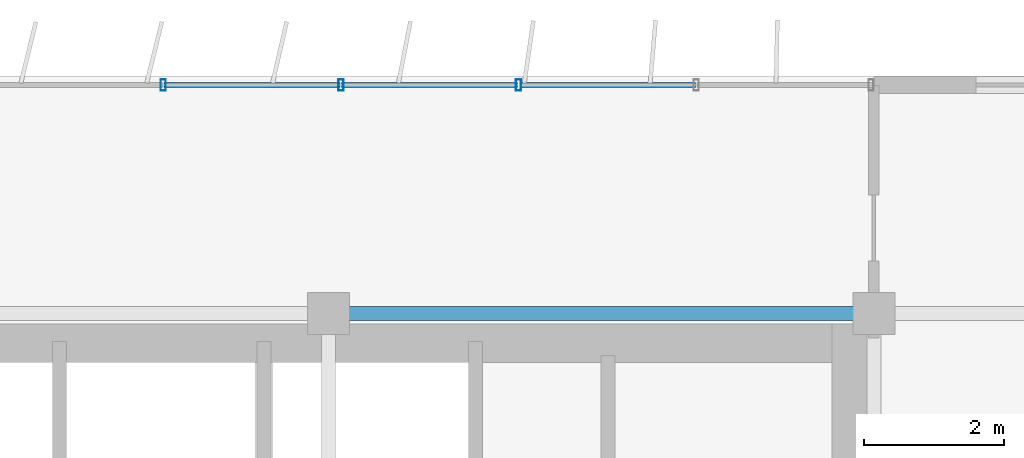
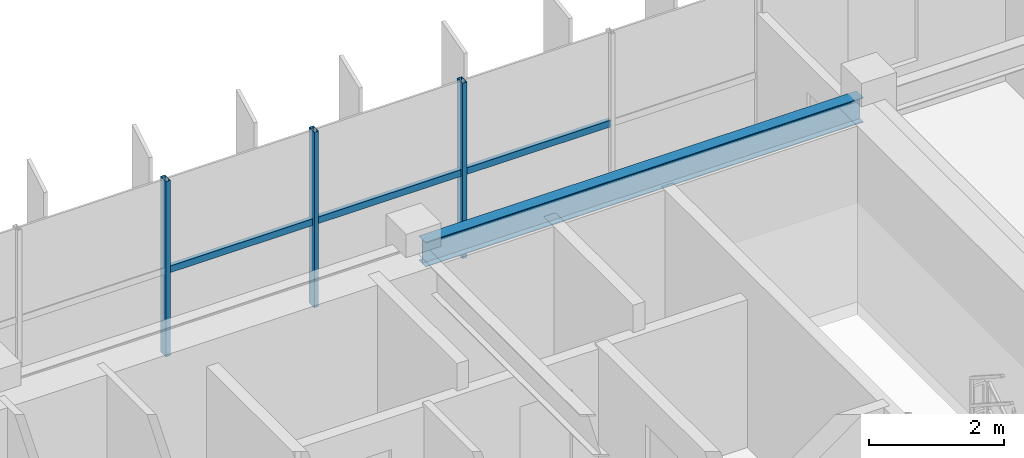
# One storey, part 16 of 26: 6 members, 1 beam, 1 element without a shape of its own.
"""IFC4 building model written with IfcOpenShell, lengths in metres."""

from ifc_helpers import new_model, si_unit, direction, frame, origin, origin_2d, place, context, subcontext, project, spatial, hollow_rectangle, i_section, extrude, source, transform, mapped, material, material_profile, profile_set, type_object, element, aggregate, save


model = new_model("IFC4")

# Units and contexts
model_context = context("Model", 3, precision=1e-05, world=origin(), true_north=direction((0.0, 1.0)))
body_context = subcontext(model_context, "Body", "Model", "MODEL_VIEW")
ifc_project = project(units=[si_unit("LENGTHUNIT", "METRE"), si_unit("AREAUNIT", "SQUARE_METRE"), si_unit("VOLUMEUNIT", "CUBIC_METRE"), si_unit("PLANEANGLEUNIT", "RADIAN"), si_unit("MASSUNIT", "GRAM", prefix="KILO")], contexts=[model_context])

# Site, building, storey
site_placement = place(None, origin())
site = spatial("IfcSite", under=ifc_project, at=site_placement, CompositionType="ELEMENT")
building_placement = place(site_placement, origin())
building = spatial("IfcBuilding", under=site, at=building_placement, Name="Trelvane Seafront Commons", CompositionType="ELEMENT")
storey_placement = place(building_placement, frame((0.0, 0.0, 291.89990234375)))
storey = spatial("IfcBuildingStorey", under=building, at=storey_placement, Name="L76", CompositionType="ELEMENT", Elevation=291.89990234375)

# Beam
ifc_material_1 = material(Name="Steel SM355 (S355)", Category="steel")
ifc_material_profile_1 = material_profile(ifc_material_1, i_section(OverallWidth=0.199951171875, OverallDepth=0.449951171875, WebThickness=0.009033203125, FlangeThickness=0.013916015625, at=origin_2d()), Name="H-450x200x9x14")
ifc_profile_set_1 = profile_set([ifc_material_profile_1], Name="Steel SM355 (S355)")
beam_type = type_object("IfcBeamType", Name="STR-SPD-H450", PredefinedType="SPANDREL", material=ifc_profile_set_1)
shared_shape_1 = source(origin(), body_context, "Body", "SweptSolid", [
    extrude(i_section(OverallWidth=0.199951171875, OverallDepth=0.449951171875, WebThickness=0.009033203125, FlangeThickness=0.013916015625, at=origin_2d()), origin(), (0.0, 0.0, 1.0), 7.5),
])
beam_placement = place(storey_placement, frame((51.14990234375, 45.10009765625, 2.955078125), z_axis=(1.0, 0.0, 0.0), x_axis=(0.0, 1.0, 0.0)))
element("IfcBeam", 1, at=beam_placement, inside=storey, type_object=beam_type, Name="L76 Primary Girder G-27", PredefinedType="SPANDREL", context=body_context, shape_type="MappedRepresentation", body=[
    mapped(shared_shape_1, transform((0.0, 0.0, 0.0), x_axis=(1.0, 0.0, 0.0), y_axis=(0.0, 1.0, 0.0), z_axis=(0.0, 0.0, 1.0), scale=1.0)),
])

# Curtain wall, members
ifc_material_2 = material(Name="Anodised pale-silver aluminium", Category="aluminium")
curtain_wall_type = type_object("IfcCurtainWallType", Name="ARCH-CW5-UPTOWER", PredefinedType="NOTDEFINED", material=ifc_material_2)
curtain_wall_placement = place(storey_placement, origin())
curtain_wall = element("IfcCurtainWall", 2, at=curtain_wall_placement, inside=storey, type_object=curtain_wall_type, Name="CW-L76-0120", PredefinedType="NOTDEFINED")
ifc_material_profile_2 = material_profile(ifc_material_2, hollow_rectangle(XDim=0.070068359375, YDim=0.1201171875, WallThickness=0.00390625, at=origin_2d()), Name="TRAN-70x120x4")
ifc_profile_set_2 = profile_set([ifc_material_profile_2], Name="Anodised pale-silver aluminium")
member_type_1 = type_object("IfcMemberType", Name="ARCH-CW-TRAN-120", PredefinedType="USERDEFINED", material=ifc_profile_set_2)
shared_shape_2 = source(origin(), body_context, "Body", "SweptSolid", [
    extrude(hollow_rectangle(XDim=0.070068359375, YDim=0.1201171875, WallThickness=0.00390625, at=origin_2d()), origin(), (0.0, 0.0, 1.0), 2.51708984375),
])
member_1_placement = place(storey_placement, frame((51.1884765625, 48.3701171875, 1.526123046875), z_axis=(1.0, 0.0, 0.0), x_axis=(0.0, 1.0, 0.0)))
member_1 = element("IfcMember", 3, at=member_1_placement, type_object=member_type_1, Name="CW-L76-0120-T14", ObjectType="TRANSOM", PredefinedType="USERDEFINED", context=body_context, shape_type="MappedRepresentation", body=[
    mapped(shared_shape_2, transform((0.0, 0.0, 0.0), x_axis=(1.0, 0.0, 0.0), y_axis=(0.0, 1.0, 0.0), z_axis=(0.0, 0.0, 1.0), scale=1.0)),
])
shared_shape_3 = source(origin(), body_context, "Body", "SweptSolid", [
    extrude(hollow_rectangle(XDim=0.070068359375, YDim=0.1201171875, WallThickness=0.00390625, at=origin_2d()), origin(), (0.0, 0.0, 1.0), 2.517333984375),
])
member_2_placement = place(storey_placement, frame((48.647216796875, 48.3701171875, 1.526123046875), z_axis=(1.0, 0.0, 0.0), x_axis=(0.0, 1.0, 0.0)))
member_2 = element("IfcMember", 4, at=member_2_placement, type_object=member_type_1, Name="CW-L76-0120-T13", ObjectType="TRANSOM", PredefinedType="USERDEFINED", context=body_context, shape_type="MappedRepresentation", body=[
    mapped(shared_shape_3, transform((0.0, 0.0, 0.0), x_axis=(1.0, 0.0, 0.0), y_axis=(0.0, 1.0, 0.0), z_axis=(0.0, 0.0, 1.0), scale=1.0)),
])
member_3_placement = place(storey_placement, frame((53.7294921875, 48.3701171875, 1.526123046875), z_axis=(1.0, 0.0, 0.0), x_axis=(0.0, 1.0, 0.0)))
member_3 = element("IfcMember", 5, at=member_3_placement, type_object=member_type_1, Name="CW-L76-0120-T15", ObjectType="TRANSOM", PredefinedType="USERDEFINED", context=body_context, shape_type="MappedRepresentation", body=[
    mapped(shared_shape_3, transform((0.0, 0.0, 0.0), x_axis=(1.0, 0.0, 0.0), y_axis=(0.0, 1.0, 0.0), z_axis=(0.0, 0.0, 1.0), scale=1.0)),
])
ifc_material_profile_3 = material_profile(ifc_material_2, hollow_rectangle(XDim=0.074951171875, YDim=0.159912109375, WallThickness=0.00390625, at=origin_2d()), Name="MULL-75x160x4")
ifc_profile_set_3 = profile_set([ifc_material_profile_3], Name="Anodised pale-silver aluminium")
member_type_2 = type_object("IfcMemberType", Name="ARCH-CW-MULL-160", PredefinedType="MULLION", material=ifc_profile_set_3)
shared_shape_4 = source(origin(), body_context, "Body", "SweptSolid", [
    extrude(hollow_rectangle(XDim=0.074951171875, YDim=0.159912109375, WallThickness=0.00390625, at=origin_2d()), origin(), (0.0, 0.0, 1.0), 3.18017578125),
])
member_4_placement = place(storey_placement, frame((48.63525390625, 48.3701171875, 0.0), z_axis=(0.0, 0.0, 1.0), x_axis=(1.0, 0.0, 0.0)))
member_4 = element("IfcMember", 6, at=member_4_placement, type_object=member_type_2, Name="CW-L76-0120-M13", PredefinedType="MULLION", context=body_context, shape_type="MappedRepresentation", body=[
    mapped(shared_shape_4, transform((0.0, 0.0, 0.0), x_axis=(1.0, 0.0, 0.0), y_axis=(0.0, 1.0, 0.0), z_axis=(0.0, 0.0, 1.0), scale=1.0)),
])
member_5_placement = place(storey_placement, frame((51.176513671875, 48.3701171875, 0.0), z_axis=(0.0, 0.0, 1.0), x_axis=(1.0, 0.0, 0.0)))
member_5 = element("IfcMember", 7, at=member_5_placement, type_object=member_type_2, Name="CW-L76-0120-M14", PredefinedType="MULLION", context=body_context, shape_type="MappedRepresentation", body=[
    mapped(shared_shape_4, transform((0.0, 0.0, 0.0), x_axis=(1.0, 0.0, 0.0), y_axis=(0.0, 1.0, 0.0), z_axis=(0.0, 0.0, 1.0), scale=1.0)),
])
member_6_placement = place(storey_placement, frame((53.717529296875, 48.3701171875, 0.0), z_axis=(0.0, 0.0, 1.0), x_axis=(1.0, 0.0, 0.0)))
member_6 = element("IfcMember", 8, at=member_6_placement, type_object=member_type_2, Name="CW-L76-0120-M15", PredefinedType="MULLION", context=body_context, shape_type="MappedRepresentation", body=[
    mapped(shared_shape_4, transform((0.0, 0.0, 0.0), x_axis=(1.0, 0.0, 0.0), y_axis=(0.0, 1.0, 0.0), z_axis=(0.0, 0.0, 1.0), scale=1.0)),
])
aggregate(curtain_wall, [member_4, member_5, member_6, member_2, member_1, member_3])

save(model, "model.ifc")
